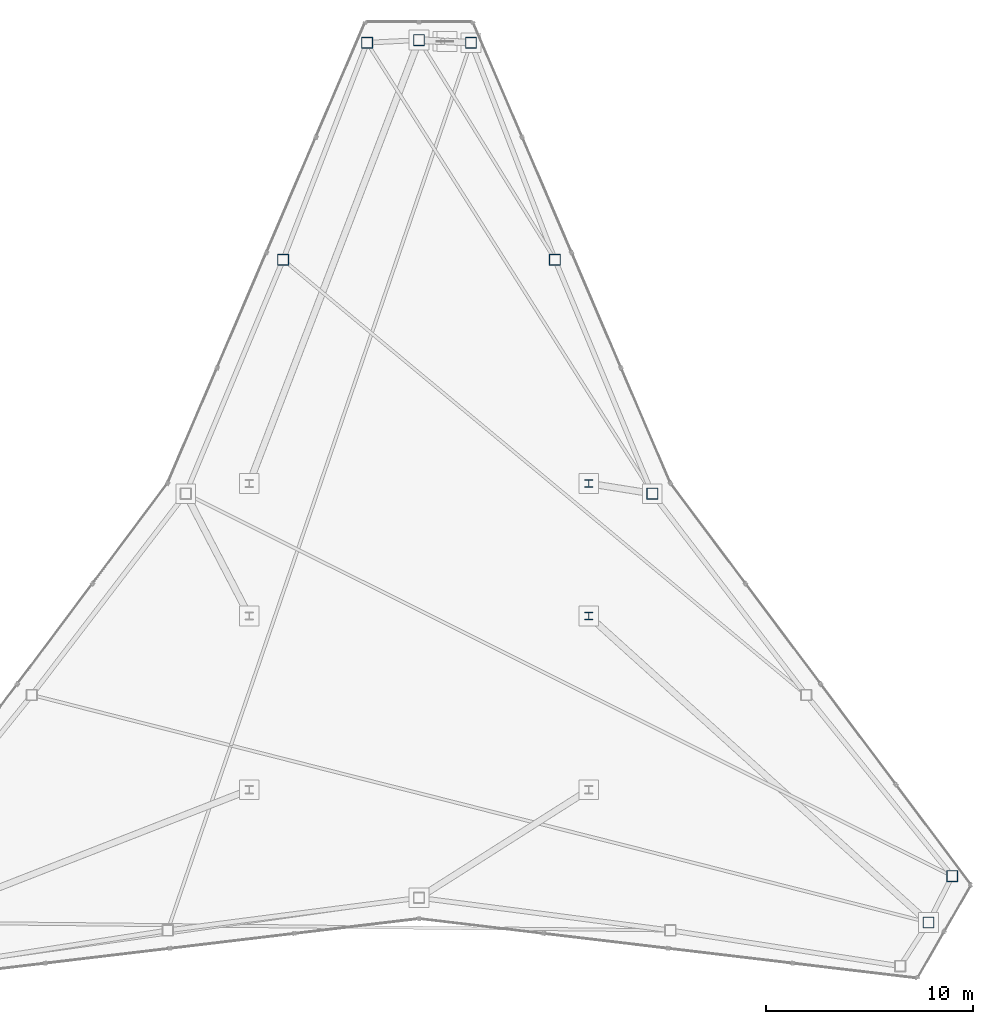
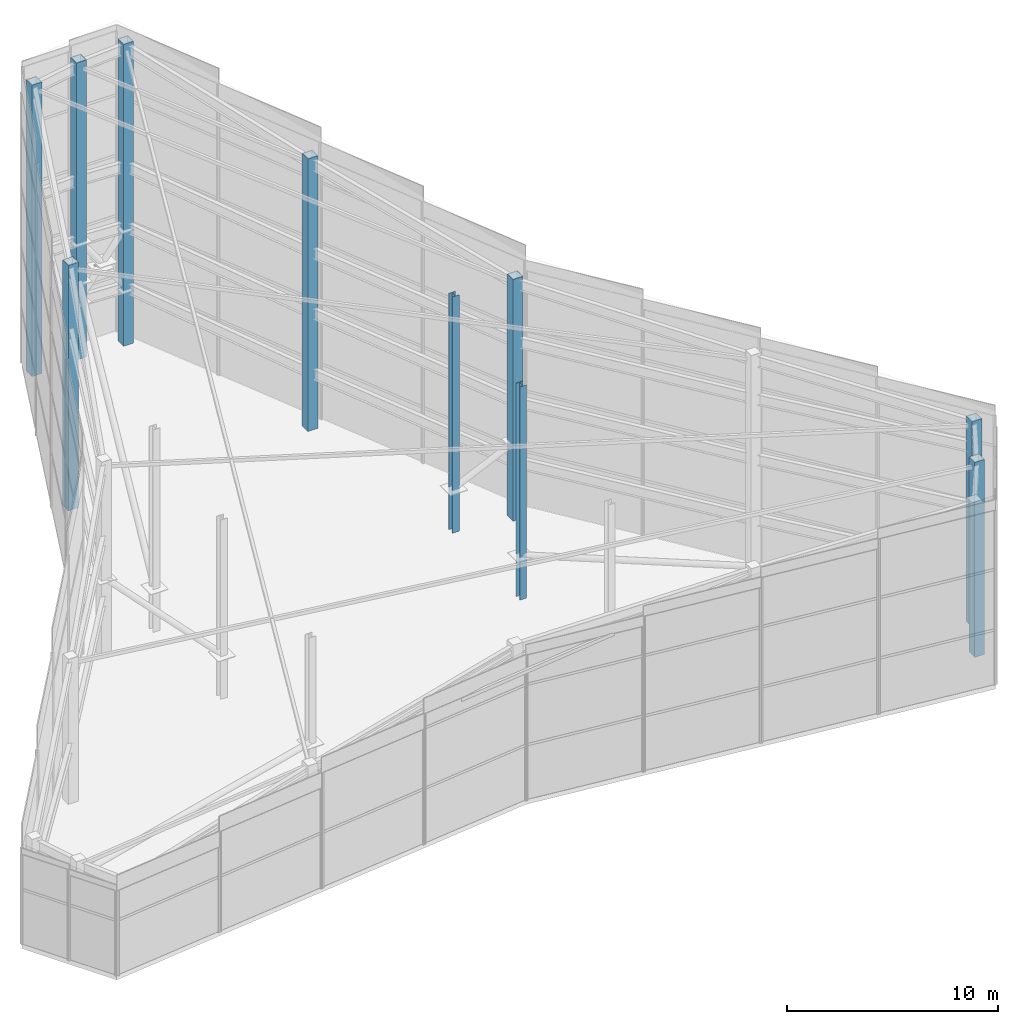
# One storey, part 2 of 17: 10 columns.
"""IFC4 building model written with IfcOpenShell, lengths in metres."""

from ifc_helpers import new_model, si_unit, direction, frame, origin, origin_2d, place, context, subcontext, project, spatial, hollow_rectangle, i_section, extrude, material, material_profile, profile_set, type_object, element, save


model = new_model("IFC4")

# Units and contexts
model_context = context("Model", 3, precision=1e-05, world=origin(), true_north=direction((0.0, 1.0)))
body_context = subcontext(model_context, "Body", "Model", "MODEL_VIEW")
ifc_project = project(units=[si_unit("LENGTHUNIT", "METRE"), si_unit("AREAUNIT", "SQUARE_METRE"), si_unit("VOLUMEUNIT", "CUBIC_METRE"), si_unit("PLANEANGLEUNIT", "RADIAN"), si_unit("MASSUNIT", "GRAM", prefix="KILO")], contexts=[model_context])

# Site, building, storey
site_placement = place(None, origin())
site = spatial("IfcSite", under=ifc_project, at=site_placement, CompositionType="ELEMENT")
building_placement = place(site_placement, origin())
building = spatial("IfcBuilding", under=site, at=building_placement, Name="Varakhsha Concourse Tower", CompositionType="ELEMENT")
storey_placement = place(building_placement, frame((0.0, 0.0, 294.800048828125)))
storey = spatial("IfcBuildingStorey", under=building, at=storey_placement, Name="RF", CompositionType="ELEMENT", Elevation=294.800048828125)

# Columns
ifc_material_1 = material(Name="Structural Steel ASTM A992 Grade 50", Category="steel")
ifc_material_profile_1 = material_profile(ifc_material_1, i_section(OverallWidth=0.3740234375, OverallDepth=0.3720703125, WebThickness=0.01611328125, FlangeThickness=0.02587890625, at=origin_2d()), Name="W14X132")
ifc_profile_set_1 = profile_set([ifc_material_profile_1], Name="Structural Steel ASTM A992 Grade 50")
column_type_1 = type_object("IfcColumnType", Name="CL-CORE-W14X132", PredefinedType="COLUMN", material=ifc_profile_set_1)
column_1_placement = place(storey_placement, frame((48.199951171875, 24.800048828125, 0.0), z_axis=(0.0, 0.0, 1.0), x_axis=(1.0, 0.0, 0.0)))
element("IfcColumn", 1, at=column_1_placement, inside=storey, type_object=column_type_1, Name="Crown Attic Core Post CC-ME", PredefinedType="COLUMN", context=body_context, shape_type="SweptSolid", body=[
    extrude(i_section(OverallWidth=0.3740234375, OverallDepth=0.3720703125, WebThickness=0.01611328125, FlangeThickness=0.02587890625, at=origin_2d()), origin(), (0.0, 0.0, 1.0), 12.355712890625),
])
column_2_placement = place(storey_placement, frame((48.199951171875, 31.199951171875, 0.0), z_axis=(0.0, 0.0, 1.0), x_axis=(1.0, 0.0, 0.0)))
element("IfcColumn", 2, at=column_2_placement, inside=storey, type_object=column_type_1, Name="Crown Attic Core Post CC-NE", PredefinedType="COLUMN", context=body_context, shape_type="SweptSolid", body=[
    extrude(i_section(OverallWidth=0.3740234375, OverallDepth=0.3720703125, WebThickness=0.01611328125, FlangeThickness=0.02587890625, at=origin_2d()), origin(), (0.0, 0.0, 1.0), 13.686279296875),
])
ifc_material_2 = material(Name="Structural Steel ASTM A572 Grade 50", Category="steel")
ifc_material_profile_2 = material_profile(ifc_material_2, hollow_rectangle(XDim=0.550048828125, YDim=0.550048828125, WallThickness=0.0380859375, at=origin_2d()), Name="BOX 550x550x38")
ifc_profile_set_2 = profile_set([ifc_material_profile_2], Name="Structural Steel ASTM A572 Grade 50")
column_type_2 = type_object("IfcColumnType", Name="CL-CROWN-550", PredefinedType="COLUMN", material=ifc_profile_set_2)
column_3_placement = place(storey_placement, frame((42.510498046875, 52.48876953125, 0.0), z_axis=(0.0, 0.0, 1.0), x_axis=(1.0, 0.0, 0.0)))
element("IfcColumn", 3, at=column_3_placement, inside=storey, type_object=column_type_2, Name="Crown Frame Post CP01", PredefinedType="COLUMN", context=body_context, shape_type="SweptSolid", body=[
    extrude(hollow_rectangle(XDim=0.550048828125, YDim=0.550048828125, WallThickness=0.0380859375, at=origin_2d()), origin(), (0.0, 0.0, 1.0), 17.479736328125),
])
column_4_placement = place(storey_placement, frame((40.0, 52.61669921875, 0.0), z_axis=(0.0, 0.0, 1.0), x_axis=(1.0, 0.0, 0.0)))
element("IfcColumn", 4, at=column_4_placement, inside=storey, type_object=column_type_2, Name="Crown Frame Post CP02", PredefinedType="COLUMN", context=body_context, shape_type="SweptSolid", body=[
    extrude(hollow_rectangle(XDim=0.550048828125, YDim=0.550048828125, WallThickness=0.0380859375, at=origin_2d()), origin(), (0.0, 0.0, 1.0), 17.204833984375),
])
column_5_placement = place(storey_placement, frame((37.489501953125, 52.48876953125, 0.0), z_axis=(0.0, 0.0, 1.0), x_axis=(1.0, 0.0, 0.0)))
element("IfcColumn", 5, at=column_5_placement, inside=storey, type_object=column_type_2, Name="Crown Frame Post CP03", PredefinedType="COLUMN", context=body_context, shape_type="SweptSolid", body=[
    extrude(hollow_rectangle(XDim=0.550048828125, YDim=0.550048828125, WallThickness=0.0380859375, at=origin_2d()), origin(), (0.0, 0.0, 1.0), 16.876953125),
])
column_6_placement = place(storey_placement, frame((33.43505859375, 42.008544921875, 0.0), z_axis=(0.0, 0.0, 1.0), x_axis=(1.0, 0.0, 0.0)))
element("IfcColumn", 6, at=column_6_placement, inside=storey, type_object=column_type_2, Name="Crown Frame Post CP04", PredefinedType="COLUMN", context=body_context, shape_type="SweptSolid", body=[
    extrude(hollow_rectangle(XDim=0.550048828125, YDim=0.550048828125, WallThickness=0.0380859375, at=origin_2d()), origin(), (0.0, 0.0, 1.0), 14.211181640625),
])
column_7_placement = place(storey_placement, frame((64.609619140625, 9.99169921875, 0.0), z_axis=(0.0, 0.0, 1.0), x_axis=(1.0, 0.0, 0.0)))
element("IfcColumn", 7, at=column_7_placement, inside=storey, type_object=column_type_2, Name="Crown Frame Post CP14", PredefinedType="COLUMN", context=body_context, shape_type="SweptSolid", body=[
    extrude(hollow_rectangle(XDim=0.550048828125, YDim=0.550048828125, WallThickness=0.0380859375, at=origin_2d()), origin(), (0.0, 0.0, 1.0), 11.296630859375),
])
column_8_placement = place(storey_placement, frame((65.75390625, 12.229736328125, 0.0), z_axis=(0.0, 0.0, 1.0), x_axis=(1.0, 0.0, 0.0)))
element("IfcColumn", 8, at=column_8_placement, inside=storey, type_object=column_type_2, Name="Crown Frame Post CP15", PredefinedType="COLUMN", context=body_context, shape_type="SweptSolid", body=[
    extrude(hollow_rectangle(XDim=0.550048828125, YDim=0.550048828125, WallThickness=0.0380859375, at=origin_2d()), origin(), (0.0, 0.0, 1.0), 11.8994140625),
])
column_9_placement = place(storey_placement, frame((51.271240234375, 30.70751953125, 0.0), z_axis=(0.0, 0.0, 1.0), x_axis=(1.0, 0.0, 0.0)))
element("IfcColumn", 9, at=column_9_placement, inside=storey, type_object=column_type_2, Name="Crown Frame Post CP17", PredefinedType="COLUMN", context=body_context, shape_type="SweptSolid", body=[
    extrude(hollow_rectangle(XDim=0.550048828125, YDim=0.550048828125, WallThickness=0.0380859375, at=origin_2d()), origin(), (0.0, 0.0, 1.0), 14.002685546875),
])
column_10_placement = place(storey_placement, frame((46.56494140625, 42.008544921875, 0.0), z_axis=(0.0, 0.0, 1.0), x_axis=(1.0, 0.0, 0.0)))
element("IfcColumn", 10, at=column_10_placement, inside=storey, type_object=column_type_2, Name="Crown Frame Post CP18", PredefinedType="COLUMN", context=body_context, shape_type="SweptSolid", body=[
    extrude(hollow_rectangle(XDim=0.550048828125, YDim=0.550048828125, WallThickness=0.0380859375, at=origin_2d()), origin(), (0.0, 0.0, 1.0), 15.787353515625),
])

save(model, "model.ifc")
